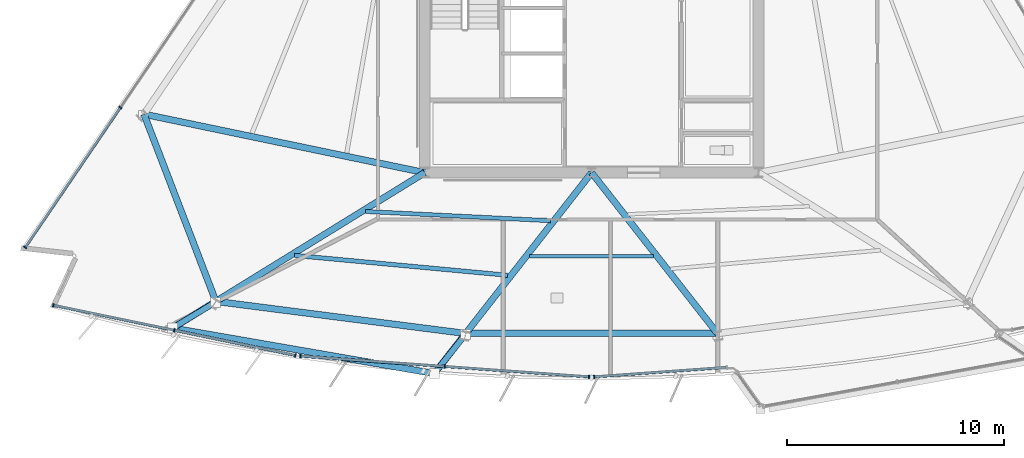
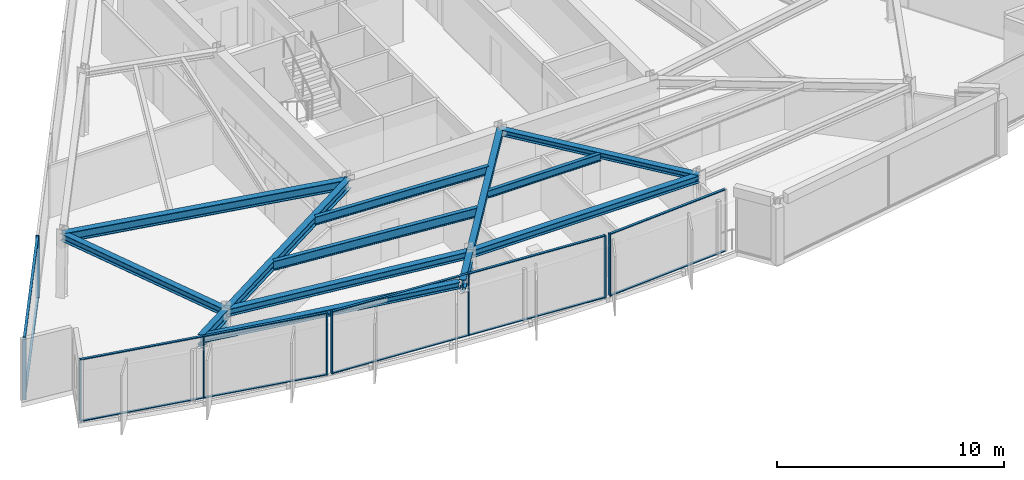
# One storey, part 2 of 13: 23 members, 13 beams, 4 elements without a shape of their own.
"""IFC4 building model written with IfcOpenShell, lengths in metres."""

from ifc_helpers import new_model, si_unit, direction, frame, origin, origin_2d, place, context, subcontext, project, spatial, rectangle, hollow_circle, i_section, extrude, material, material_profile, profile_set, type_object, element, aggregate, save


model = new_model("IFC4")

# Units and contexts
model_context = context("Model", 3, precision=1e-05, world=origin(), true_north=direction((0.0, 1.0)))
body_context = subcontext(model_context, "Body", "Model", "MODEL_VIEW")
ifc_project = project(units=[si_unit("LENGTHUNIT", "METRE"), si_unit("AREAUNIT", "SQUARE_METRE"), si_unit("VOLUMEUNIT", "CUBIC_METRE"), si_unit("PLANEANGLEUNIT", "RADIAN"), si_unit("MASSUNIT", "GRAM", prefix="KILO")], contexts=[model_context])

# Site, building, storey
site_placement = place(None, origin())
site = spatial("IfcSite", under=ifc_project, at=site_placement, CompositionType="ELEMENT")
building_placement = place(site_placement, origin())
building = spatial("IfcBuilding", under=site, at=building_placement, Name="Savorim Split Tower", CompositionType="ELEMENT")
storey_placement = place(building_placement, frame((0.0, 0.0, 174.60009765625)))
storey = spatial("IfcBuildingStorey", under=building, at=storey_placement, Name="L46", CompositionType="ELEMENT", Elevation=174.60009765625)

# Beams
ifc_material_1 = material(Name="Steel S355", Category="steel")
ifc_material_profile_1 = material_profile(ifc_material_1, i_section(OverallWidth=0.179931640625, OverallDepth=0.39990234375, WebThickness=0.008544921875, FlangeThickness=0.013427734375, FilletRadius=0.02099609375, at=origin_2d()), Name="IPE 400")
ifc_profile_set_1 = profile_set([ifc_material_profile_1], Name="Steel S355")
beam_type_1 = type_object("IfcBeamType", Name="BM-JST-IPE400", PredefinedType="JOIST", material=ifc_profile_set_1)
beam_1_placement = place(storey_placement, frame((-2.86181640625, -13.25927734375, 3.14990234375), z_axis=(1.0, 0.0, 0.0), x_axis=(0.0, 1.0, 0.0)))
element("IfcBeam", 1, at=beam_1_placement, inside=storey, type_object=beam_type_1, Name="L46 Secondary Floor Joist JS-03", PredefinedType="JOIST", context=body_context, shape_type="SweptSolid", body=[
    extrude(i_section(OverallWidth=0.179931640625, OverallDepth=0.39990234375, WebThickness=0.008544921875, FlangeThickness=0.013427734375, FilletRadius=0.02099609375, at=origin_2d()), origin(), (0.0, 0.0, 1.0), 5.7236328125),
])
ifc_material_profile_2 = material_profile(ifc_material_1, i_section(OverallWidth=0.18994140625, OverallDepth=0.449951171875, WebThickness=0.009521484375, FlangeThickness=0.0146484375, FilletRadius=0.02099609375, at=origin_2d()), Name="IPE 450")
ifc_profile_set_2 = profile_set([ifc_material_profile_2], Name="Steel S355")
beam_type_2 = type_object("IfcBeamType", Name="BM-JST-IPE450", PredefinedType="JOIST", material=ifc_profile_set_2)
beam_2_placement = place(storey_placement, frame((-10.431640625, -11.1904296875, 3.125), z_axis=(0.998743267692, -0.050118711484, 0.0), x_axis=(0.050118711484, 0.998743267692, 0.0)))
element("IfcBeam", 2, at=beam_2_placement, inside=storey, type_object=beam_type_2, Name="L46 Secondary Floor Joist JS-02", PredefinedType="JOIST", context=body_context, shape_type="SweptSolid", body=[
    extrude(i_section(OverallWidth=0.18994140625, OverallDepth=0.449951171875, WebThickness=0.009521484375, FlangeThickness=0.0146484375, FilletRadius=0.02099609375, at=origin_2d()), origin(), (0.0, 0.0, 1.0), 8.539306640625),
])
ifc_material_profile_3 = material_profile(ifc_material_1, i_section(OverallWidth=0.199951171875, OverallDepth=0.5, WebThickness=0.01025390625, FlangeThickness=0.01611328125, FilletRadius=0.02099609375, at=origin_2d()), Name="IPE 500")
ifc_profile_set_3 = profile_set([ifc_material_profile_3], Name="Steel S355")
beam_type_3 = type_object("IfcBeamType", Name="BM-JST-IPE500", PredefinedType="JOIST", material=ifc_profile_set_3)
beam_3_placement = place(storey_placement, frame((-13.709228515625, -13.217529296875, 3.099853515625), z_axis=(0.995673275314, -0.092923241578, 0.0), x_axis=(0.092923241578, 0.995673275314, 0.0)))
element("IfcBeam", 3, at=beam_3_placement, inside=storey, type_object=beam_type_3, Name="L46 Secondary Floor Joist JS-01", PredefinedType="JOIST", context=body_context, shape_type="SweptSolid", body=[
    extrude(i_section(OverallWidth=0.199951171875, OverallDepth=0.5, WebThickness=0.01025390625, FlangeThickness=0.01611328125, FilletRadius=0.02099609375, at=origin_2d()), origin(), (0.0, 0.0, 1.0), 9.87353515625),
])
ifc_material_profile_4 = material_profile(ifc_material_1, i_section(OverallWidth=0.300048828125, OverallDepth=0.320068359375, WebThickness=0.011474609375, FlangeThickness=0.0205078125, FilletRadius=0.027099609375, at=origin_2d()), Name="HEB 320")
ifc_profile_set_4 = profile_set([ifc_material_profile_4], Name="Steel S355")
beam_type_4 = type_object("IfcBeamType", Name="BM-PRI-HEB320", PredefinedType="BEAM", material=ifc_profile_set_4)
for number, where, z_axis, x_axis, name in (
    (4, (-5.81103515625, -16.82177734375, 3.18994140625), (0.616480045539, 0.787370531232, 0.0), (-0.787370531232, 0.616480045539, 0.0), "L46 Primary Floor Girder RG-02"),
    (5, (5.81103515625, -16.82177734375, 3.18994140625), (-0.616480045539, 0.787370531232, 0.0), (-0.787370531232, -0.616480045539, 0.0), "L46 Primary Floor Girder RG-03"),
):
    element("IfcBeam", number, at=place(storey_placement, frame(where, z_axis=z_axis, x_axis=x_axis)), inside=storey, type_object=beam_type_4, Name=name, PredefinedType="BEAM", context=body_context, shape_type="SweptSolid", body=[
        extrude(i_section(OverallWidth=0.300048828125, OverallDepth=0.320068359375, WebThickness=0.011474609375, FlangeThickness=0.0205078125, FilletRadius=0.027099609375, at=origin_2d()), origin(), (0.0, 0.0, 1.0), 9.42626953125),
    ])
ifc_material_profile_5 = material_profile(ifc_material_1, i_section(OverallWidth=0.300048828125, OverallDepth=0.5, WebThickness=0.014404296875, FlangeThickness=0.028076171875, FilletRadius=0.027099609375, at=origin_2d()), Name="HEB 500")
ifc_profile_set_5 = profile_set([ifc_material_profile_5], Name="Steel S355")
beam_type_5 = type_object("IfcBeamType", Name="BM-PRI-HEB500", PredefinedType="BEAM", material=ifc_profile_set_5)
beam_4_placement = place(storey_placement, frame((-17.33837890625, -15.341796875, 3.099853515625), z_axis=(0.851241987084, 0.524773360056, 0.0), x_axis=(-0.524773360056, 0.851241987084, 0.0)))
element("IfcBeam", 6, at=beam_4_placement, inside=storey, type_object=beam_type_5, Name="L46 Primary Floor Girder RG-01", PredefinedType="BEAM", context=body_context, shape_type="SweptSolid", body=[
    extrude(i_section(OverallWidth=0.300048828125, OverallDepth=0.5, WebThickness=0.014404296875, FlangeThickness=0.028076171875, FilletRadius=0.027099609375, at=origin_2d()), origin(), (0.0, 0.0, 1.0), 11.32275390625),
])
beam_5_placement = place(storey_placement, frame((-20.65673828125, -6.701416015625, 3.099853515625), z_axis=(0.978993155675, -0.203893112051, 0.0), x_axis=(0.203893112051, 0.978993155675, 0.0)))
element("IfcBeam", 7, at=beam_5_placement, inside=storey, type_object=beam_type_5, Name="L46 Primary Floor Girder RG-10", PredefinedType="BEAM", context=body_context, shape_type="SweptSolid", body=[
    extrude(i_section(OverallWidth=0.300048828125, OverallDepth=0.5, WebThickness=0.014404296875, FlangeThickness=0.028076171875, FilletRadius=0.027099609375, at=origin_2d()), origin(), (0.0, 0.0, 1.0), 13.23486328125),
])
ifc_material_profile_6 = material_profile(ifc_material_1, i_section(OverallWidth=0.300048828125, OverallDepth=0.550048828125, WebThickness=0.014892578125, FlangeThickness=0.029052734375, FilletRadius=0.027099609375, at=origin_2d()), Name="HEB 550")
ifc_profile_set_6 = profile_set([ifc_material_profile_6], Name="Steel S355")
beam_type_6 = type_object("IfcBeamType", Name="BM-PRI-HEB550", PredefinedType="BEAM", material=ifc_profile_set_6)
for number, where, z_axis, x_axis, name in (
    (8, (-17.33837890625, -15.341796875, 3.074951171875), (-0.851262138211, -0.524740671235, 0.0), (0.524740671235, -0.851262138211, 0.0), "L46 Cantilevered Lounge Rib 1"),
    (9, (-5.81103515625, -16.82177734375, 3.074951171875), (-0.616476320994, -0.78737344739, 0.0), (0.78737344739, -0.616476320994, 0.0), "L46 Cantilevered Lounge Rib 2"),
):
    element("IfcBeam", number, at=place(storey_placement, frame(where, z_axis=z_axis, x_axis=x_axis)), inside=storey, type_object=beam_type_6, Name=name, PredefinedType="BEAM", context=body_context, shape_type="SweptSolid", body=[
        extrude(i_section(OverallWidth=0.300048828125, OverallDepth=0.550048828125, WebThickness=0.014892578125, FlangeThickness=0.029052734375, FilletRadius=0.027099609375, at=origin_2d()), origin(), (0.0, 0.0, 1.0), 2.35009765625),
    ])
ifc_material_profile_7 = material_profile(ifc_material_1, i_section(OverallWidth=0.300048828125, OverallDepth=0.35009765625, WebThickness=0.010009765625, FlangeThickness=0.017578125, FilletRadius=0.027099609375, at=origin_2d()), Name="HEA 360")
ifc_profile_set_7 = profile_set([ifc_material_profile_7], Name="Steel S355")
beam_type_7 = type_object("IfcBeamType", Name="BM-SPN-HEA360", PredefinedType="SPANDREL", material=ifc_profile_set_7)
beam_6_placement = place(storey_placement, frame((-19.18115234375, -16.602294921875, 3.1748046875), z_axis=(0.985263485197, -0.171043458621, 0.0), x_axis=(0.171043458621, 0.985263485197, 0.0)))
element("IfcBeam", 10, at=beam_6_placement, inside=storey, type_object=beam_type_7, Name="L46 Cantilevered Lounge Front Edge Beam", PredefinedType="SPANDREL", context=body_context, shape_type="SweptSolid", body=[
    extrude(i_section(OverallWidth=0.300048828125, OverallDepth=0.35009765625, WebThickness=0.010009765625, FlangeThickness=0.017578125, FilletRadius=0.027099609375, at=origin_2d()), origin(), (0.0, 0.0, 1.0), 11.93994140625),
])
ifc_material_profile_8 = material_profile(ifc_material_1, i_section(OverallWidth=0.300048828125, OverallDepth=0.389892578125, WebThickness=0.010986328125, FlangeThickness=0.01904296875, FilletRadius=0.027099609375, at=origin_2d()), Name="HEA 400")
ifc_profile_set_8 = profile_set([ifc_material_profile_8], Name="Steel S355")
beam_type_8 = type_object("IfcBeamType", Name="BM-SPN-HEA400", PredefinedType="SPANDREL", material=ifc_profile_set_8)
for number, where, z_axis, x_axis, name in (
    (11, (-17.33837890625, -15.341796875, 3.15478515625), (0.991858685027, -0.127343429105, 0.0), (0.127343429105, 0.991858685027, 0.0), "L46 Perimeter Spandrel Beam 1"),
    (12, (-5.81103515625, -16.82177734375, 3.15478515625), (1.0, 0.0, 0.0), (0.0, 1.0, 0.0), "L46 Perimeter Spandrel Beam 2"),
):
    element("IfcBeam", number, at=place(storey_placement, frame(where, z_axis=z_axis, x_axis=x_axis)), inside=storey, type_object=beam_type_8, Name=name, PredefinedType="SPANDREL", context=body_context, shape_type="SweptSolid", body=[
        extrude(i_section(OverallWidth=0.300048828125, OverallDepth=0.389892578125, WebThickness=0.010986328125, FlangeThickness=0.01904296875, FilletRadius=0.027099609375, at=origin_2d()), origin(), (0.0, 0.0, 1.0), 11.6220703125),
    ])
beam_7_placement = place(storey_placement, frame((-20.65673828125, -6.701416015625, 3.15478515625), z_axis=(0.358521239162, -0.933521569686, 0.0), x_axis=(0.933521569686, 0.358521239162, 0.0)))
element("IfcBeam", 13, at=beam_7_placement, inside=storey, type_object=beam_type_8, Name="L46 Perimeter Spandrel Beam 10", PredefinedType="SPANDREL", context=body_context, shape_type="SweptSolid", body=[
    extrude(i_section(OverallWidth=0.300048828125, OverallDepth=0.389892578125, WebThickness=0.010986328125, FlangeThickness=0.01904296875, FilletRadius=0.027099609375, at=origin_2d()), origin(), (0.0, 0.0, 1.0), 9.255615234375),
])

# Curtain wall, members
ifc_material_2 = material(Name="Dark Ceramic-Fritted Insulated Glass", Category="glass")
curtain_wall_type = type_object("IfcCurtainWallType", Name="CW-TWR-FRIT-B", PredefinedType="NOTDEFINED", material=ifc_material_2)
curtain_wall_1_placement = place(storey_placement, origin())
curtain_wall_1 = element("IfcCurtainWall", 14, at=curtain_wall_1_placement, inside=storey, type_object=curtain_wall_type, Name="L46 Curtain Wall CW-L46-SF1A", PredefinedType="NOTDEFINED")
ifc_material_3 = material(Name="Charcoal Anodised Aluminium", Category="aluminium")
ifc_material_profile_9 = material_profile(ifc_material_3, rectangle(XDim=0.159912109375, YDim=0.06005859375, at=origin_2d()), Name="ALU-M 160x60")
ifc_profile_set_9 = profile_set([ifc_material_profile_9], Name="Charcoal Anodised Aluminium")
member_type_1 = type_object("IfcMemberType", Name="CWM-160x60", PredefinedType="MULLION", material=ifc_profile_set_9)
member_1_placement = place(storey_placement, frame((-24.84033203125, -15.516845703125, 0.0), z_axis=(0.0, 0.0, 1.0), x_axis=(0.20321645683, 0.979133837467, 0.0)))
member_1 = element("IfcMember", 15, at=member_1_placement, type_object=member_type_1, Name="CW-03 mullion 1", PredefinedType="MULLION", context=body_context, shape_type="SweptSolid", body=[
    extrude(rectangle(XDim=0.159912109375, YDim=0.06005859375, at=origin_2d()), origin(), (0.0, 0.0, 1.0), 3.349853515625),
])
member_2_placement = place(storey_placement, frame((-19.257080078125, -16.67578125, 0.0), z_axis=(0.0, 0.0, 1.0), x_axis=(0.20321645683, 0.979133837467, 0.0)))
member_2 = element("IfcMember", 16, at=member_2_placement, type_object=member_type_1, Name="CW-03 mullion 2", PredefinedType="MULLION", context=body_context, shape_type="SweptSolid", body=[
    extrude(rectangle(XDim=0.159912109375, YDim=0.06005859375, at=origin_2d()), origin(), (0.0, 0.0, 1.0), 3.349853515625),
])
member_3_placement = place(storey_placement, frame((-13.673583984375, -17.83447265625, 0.0), z_axis=(0.0, 0.0, 1.0), x_axis=(0.20321645683, 0.979133837467, 0.0)))
member_3 = element("IfcMember", 17, at=member_3_placement, type_object=member_type_1, Name="CW-03 mullion 3", PredefinedType="MULLION", context=body_context, shape_type="SweptSolid", body=[
    extrude(rectangle(XDim=0.159912109375, YDim=0.06005859375, at=origin_2d()), origin(), (0.0, 0.0, 1.0), 3.349853515625),
])

curtain_wall_2_placement = place(storey_placement, origin())
curtain_wall_2 = element("IfcCurtainWall", 18, at=curtain_wall_2_placement, inside=storey, type_object=curtain_wall_type, Name="L46 Curtain Wall CW-L46-SF2A", PredefinedType="NOTDEFINED")
member_4_placement = place(storey_placement, frame((-13.4326171875, -17.8681640625, 0.0), z_axis=(0.0, 0.0, 1.0), x_axis=(0.07155928658, 0.997436348097, 0.0)))
member_4 = element("IfcMember", 19, at=member_4_placement, type_object=member_type_1, Name="CW-03 mullion 1", PredefinedType="MULLION", context=body_context, shape_type="SweptSolid", body=[
    extrude(rectangle(XDim=0.159912109375, YDim=0.06005859375, at=origin_2d()), origin(), (0.0, 0.0, 1.0), 3.349853515625),
])
member_5_placement = place(storey_placement, frame((-6.77685546875, -18.345458984375, 0.0), z_axis=(0.0, 0.0, 1.0), x_axis=(0.07155928658, 0.997436348097, 0.0)))
member_5 = element("IfcMember", 20, at=member_5_placement, type_object=member_type_1, Name="CW-03 mullion 2", PredefinedType="MULLION", context=body_context, shape_type="SweptSolid", body=[
    extrude(rectangle(XDim=0.159912109375, YDim=0.06005859375, at=origin_2d()), origin(), (0.0, 0.0, 1.0), 3.349853515625),
])
member_6_placement = place(storey_placement, frame((-0.12109375, -18.822998046875, 0.0), z_axis=(0.0, 0.0, 1.0), x_axis=(0.07155928658, 0.997436348097, 0.0)))
member_6 = element("IfcMember", 21, at=member_6_placement, type_object=member_type_1, Name="CW-03 mullion 3", PredefinedType="MULLION", context=body_context, shape_type="SweptSolid", body=[
    extrude(rectangle(XDim=0.159912109375, YDim=0.06005859375, at=origin_2d()), origin(), (0.0, 0.0, 1.0), 3.349853515625),
])

# Curtain wall, member
curtain_wall_3_placement = place(storey_placement, origin())
curtain_wall_3 = element("IfcCurtainWall", 22, at=curtain_wall_3_placement, inside=storey, type_object=curtain_wall_type, Name="L46 Curtain Wall CW-L46-SF3A", PredefinedType="NOTDEFINED")
member_7_placement = place(storey_placement, frame((0.12109375, -18.822998046875, 0.0), z_axis=(0.0, 0.0, 1.0), x_axis=(-0.07156138189, 0.99743619777, 0.0)))
member_7 = element("IfcMember", 23, at=member_7_placement, type_object=member_type_1, Name="CW-03 mullion 1", PredefinedType="MULLION", context=body_context, shape_type="SweptSolid", body=[
    extrude(rectangle(XDim=0.159912109375, YDim=0.06005859375, at=origin_2d()), origin(), (0.0, 0.0, 1.0), 3.349853515625),
])

# Curtain wall, members
curtain_wall_4_placement = place(storey_placement, origin())
curtain_wall_4 = element("IfcCurtainWall", 24, at=curtain_wall_4_placement, inside=storey, type_object=curtain_wall_type, Name="L46 Curtain Wall CW-L46-WEST", PredefinedType="NOTDEFINED")
member_8_placement = place(storey_placement, frame((-21.74560546875, -6.392333984375, 0.0), z_axis=(0.0, 0.0, 1.0), x_axis=(0.826819248854, -0.562467714384, 0.0)))
member_8 = element("IfcMember", 25, at=member_8_placement, type_object=member_type_1, Name="CW-03 mullion 4", PredefinedType="MULLION", context=body_context, shape_type="SweptSolid", body=[
    extrude(rectangle(XDim=0.159912109375, YDim=0.06005859375, at=origin_2d()), origin(), (0.0, 0.0, 1.0), 3.349853515625),
])
member_9_placement = place(storey_placement, frame((-26.13818359375, -12.849365234375, 0.0), z_axis=(0.0, 0.0, 1.0), x_axis=(0.826819248854, -0.562467714384, 0.0)))
member_9 = element("IfcMember", 26, at=member_9_placement, type_object=member_type_1, Name="CW-03 mullion 5", PredefinedType="MULLION", context=body_context, shape_type="SweptSolid", body=[
    extrude(rectangle(XDim=0.159912109375, YDim=0.06005859375, at=origin_2d()), origin(), (0.0, 0.0, 1.0), 3.349853515625),
])

# Member
ifc_material_profile_10 = material_profile(ifc_material_3, rectangle(XDim=0.1201171875, YDim=0.050048828125, at=origin_2d()), Name="ALU-T 120x50")
ifc_profile_set_10 = profile_set([ifc_material_profile_10], Name="Charcoal Anodised Aluminium")
member_type_2 = type_object("IfcMemberType", Name="CWT-120x50", PredefinedType="USERDEFINED", material=ifc_profile_set_10)
member_10_placement = place(storey_placement, frame((-24.81103515625, -15.52294921875, 0.02490234375), z_axis=(0.979130263576, -0.203233675727, 0.0), x_axis=(0.203233675727, 0.979130263576, 0.0)))
member_10 = element("IfcMember", 27, at=member_10_placement, type_object=member_type_2, Name="CW-03 transom 1.1", ObjectType="TRANSOM", PredefinedType="USERDEFINED", context=body_context, shape_type="SweptSolid", body=[
    extrude(rectangle(XDim=0.1201171875, YDim=0.050048828125, at=origin_2d()), origin(), (0.0, 0.0, 1.0), 5.642333984375),
])

member_11_placement = place(storey_placement, frame((-24.81103515625, -15.52294921875, 3.324951171875), z_axis=(0.979130263576, -0.203233675727, 0.0), x_axis=(0.203233675727, 0.979130263576, 0.0)))
member_11 = element("IfcMember", 28, at=member_11_placement, type_object=member_type_2, Name="CW-03 transom 1.2", ObjectType="TRANSOM", PredefinedType="USERDEFINED", context=body_context, shape_type="SweptSolid", body=[
    extrude(rectangle(XDim=0.1201171875, YDim=0.050048828125, at=origin_2d()), origin(), (0.0, 0.0, 1.0), 5.642333984375),
])

member_12_placement = place(storey_placement, frame((-19.2275390625, -16.681884765625, 0.02490234375), z_axis=(0.979137086362, -0.203200802437, 0.0), x_axis=(0.203200802437, 0.979137086362, 0.0)))
member_12 = element("IfcMember", 29, at=member_12_placement, type_object=member_type_2, Name="CW-03 transom 2.1", ObjectType="TRANSOM", PredefinedType="USERDEFINED", context=body_context, shape_type="SweptSolid", body=[
    extrude(rectangle(XDim=0.1201171875, YDim=0.050048828125, at=origin_2d()), origin(), (0.0, 0.0, 1.0), 5.64208984375),
])

member_13_placement = place(storey_placement, frame((-19.2275390625, -16.681884765625, 3.324951171875), z_axis=(0.979137086362, -0.203200802437, 0.0), x_axis=(0.203200802437, 0.979137086362, 0.0)))
member_13 = element("IfcMember", 30, at=member_13_placement, type_object=member_type_2, Name="CW-03 transom 2.2", ObjectType="TRANSOM", PredefinedType="USERDEFINED", context=body_context, shape_type="SweptSolid", body=[
    extrude(rectangle(XDim=0.1201171875, YDim=0.050048828125, at=origin_2d()), origin(), (0.0, 0.0, 1.0), 5.64208984375),
])

aggregate(curtain_wall_1, [member_1, member_2, member_3, member_10, member_11, member_12, member_13])

member_14_placement = place(storey_placement, frame((-13.402587890625, -17.8701171875, 0.02490234375), z_axis=(0.997434277973, -0.071588135364, 0.0), x_axis=(0.071588135364, 0.997434277973, 0.0)))
member_14 = element("IfcMember", 31, at=member_14_placement, type_object=member_type_2, Name="CW-03 transom 1.1", ObjectType="TRANSOM", PredefinedType="USERDEFINED", context=body_context, shape_type="SweptSolid", body=[
    extrude(rectangle(XDim=0.1201171875, YDim=0.050048828125, at=origin_2d()), origin(), (0.0, 0.0, 1.0), 6.612548828125),
])

member_15_placement = place(storey_placement, frame((-13.402587890625, -17.8701171875, 3.324951171875), z_axis=(0.997434277973, -0.071588135364, 0.0), x_axis=(0.071588135364, 0.997434277973, 0.0)))
member_15 = element("IfcMember", 32, at=member_15_placement, type_object=member_type_2, Name="CW-03 transom 1.2", ObjectType="TRANSOM", PredefinedType="USERDEFINED", context=body_context, shape_type="SweptSolid", body=[
    extrude(rectangle(XDim=0.1201171875, YDim=0.050048828125, at=origin_2d()), origin(), (0.0, 0.0, 1.0), 6.612548828125),
])

member_16_placement = place(storey_placement, frame((-6.746826171875, -18.34765625, 0.02490234375), z_axis=(0.997436913566, -0.071551404297, 0.0), x_axis=(0.071551404297, 0.997436913566, 0.0)))
member_16 = element("IfcMember", 33, at=member_16_placement, type_object=member_type_2, Name="CW-03 transom 2.1", ObjectType="TRANSOM", PredefinedType="USERDEFINED", context=body_context, shape_type="SweptSolid", body=[
    extrude(rectangle(XDim=0.1201171875, YDim=0.050048828125, at=origin_2d()), origin(), (0.0, 0.0, 1.0), 6.612548828125),
])

member_17_placement = place(storey_placement, frame((-6.746826171875, -18.34765625, 3.324951171875), z_axis=(0.997436913566, -0.071551404297, 0.0), x_axis=(0.071551404297, 0.997436913566, 0.0)))
member_17 = element("IfcMember", 34, at=member_17_placement, type_object=member_type_2, Name="CW-03 transom 2.2", ObjectType="TRANSOM", PredefinedType="USERDEFINED", context=body_context, shape_type="SweptSolid", body=[
    extrude(rectangle(XDim=0.1201171875, YDim=0.050048828125, at=origin_2d()), origin(), (0.0, 0.0, 1.0), 6.612548828125),
])

aggregate(curtain_wall_2, [member_4, member_5, member_6, member_14, member_15, member_16, member_17])

member_18_placement = place(storey_placement, frame((0.151123046875, -18.82080078125, 0.02490234375), z_axis=(0.997437848201, 0.071538374156, 0.0), x_axis=(-0.071538374156, 0.997437848201, 0.0)))
member_18 = element("IfcMember", 35, at=member_18_placement, type_object=member_type_2, Name="CW-03 transom 1.1", ObjectType="TRANSOM", PredefinedType="USERDEFINED", context=body_context, shape_type="SweptSolid", body=[
    extrude(rectangle(XDim=0.1201171875, YDim=0.050048828125, at=origin_2d()), origin(), (0.0, 0.0, 1.0), 6.07470703125),
])

member_19_placement = place(storey_placement, frame((0.151123046875, -18.82080078125, 3.324951171875), z_axis=(0.997437848201, 0.071538374156, 0.0), x_axis=(-0.071538374156, 0.997437848201, 0.0)))
member_19 = element("IfcMember", 36, at=member_19_placement, type_object=member_type_2, Name="CW-03 transom 1.2", ObjectType="TRANSOM", PredefinedType="USERDEFINED", context=body_context, shape_type="SweptSolid", body=[
    extrude(rectangle(XDim=0.1201171875, YDim=0.050048828125, at=origin_2d()), origin(), (0.0, 0.0, 1.0), 6.07470703125),
])

aggregate(curtain_wall_3, [member_7, member_18, member_19])

member_20_placement = place(storey_placement, frame((-21.762451171875, -6.4169921875, 0.02490234375), z_axis=(-0.56245477499, -0.826828051103, 0.0), x_axis=(0.826828051103, -0.56245477499, 0.0)))
member_20 = element("IfcMember", 37, at=member_20_placement, type_object=member_type_2, Name="CW-03 transom 4.1", ObjectType="TRANSOM", PredefinedType="USERDEFINED", context=body_context, shape_type="SweptSolid", body=[
    extrude(rectangle(XDim=0.1201171875, YDim=0.050048828125, at=origin_2d()), origin(), (0.0, 0.0, 1.0), 7.749755859375),
])

member_21_placement = place(storey_placement, frame((-21.762451171875, -6.4169921875, 3.324951171875), z_axis=(-0.56245477499, -0.826828051103, 0.0), x_axis=(0.826828051103, -0.56245477499, 0.0)))
member_21 = element("IfcMember", 38, at=member_21_placement, type_object=member_type_2, Name="CW-03 transom 4.2", ObjectType="TRANSOM", PredefinedType="USERDEFINED", context=body_context, shape_type="SweptSolid", body=[
    extrude(rectangle(XDim=0.1201171875, YDim=0.050048828125, at=origin_2d()), origin(), (0.0, 0.0, 1.0), 7.749755859375),
])

aggregate(curtain_wall_4, [member_8, member_9, member_20, member_21])

# Members
ifc_material_profile_11 = material_profile(ifc_material_1, hollow_circle(Radius=0.136474609375, WallThickness=0.01611328125, at=origin_2d()), Name="CHS 273x16")
ifc_profile_set_11 = profile_set([ifc_material_profile_11], Name="Steel S355")
member_type_3 = type_object("IfcMemberType", Name="MBR-CRN-CHS273", PredefinedType="BRACE", material=ifc_profile_set_11)
member_22_placement = place(storey_placement, frame((-17.36279296875, -15.381103515625, 2.449951171875), z_axis=(-0.84514416204, -0.510594879216, 0.158190438039), x_axis=(0.517105956166, -0.855921392476, 0.0)))
element("IfcMember", 39, at=member_22_placement, inside=storey, type_object=member_type_3, Name="L46 Cantilevered Bay Support Strut 1", PredefinedType="BRACE", context=body_context, shape_type="SweptSolid", body=[
    extrude(hollow_circle(Radius=0.136474609375, WallThickness=0.01611328125, at=origin_2d()), origin(), (0.0, 0.0, 1.0), 2.338134765625),
])
member_23_placement = place(storey_placement, frame((-5.819091796875, -16.86328125, 2.449951171875), z_axis=(-0.61518731912, -0.772398381183, 0.157940821635), x_axis=(0.782216307093, -0.623006941308, 0.0)))
element("IfcMember", 40, at=member_23_placement, inside=storey, type_object=member_type_3, Name="L46 Cantilevered Bay Support Strut 2", PredefinedType="BRACE", context=body_context, shape_type="SweptSolid", body=[
    extrude(hollow_circle(Radius=0.136474609375, WallThickness=0.01611328125, at=origin_2d()), origin(), (0.0, 0.0, 1.0), 2.341796875),
])

save(model, "model.ifc")
